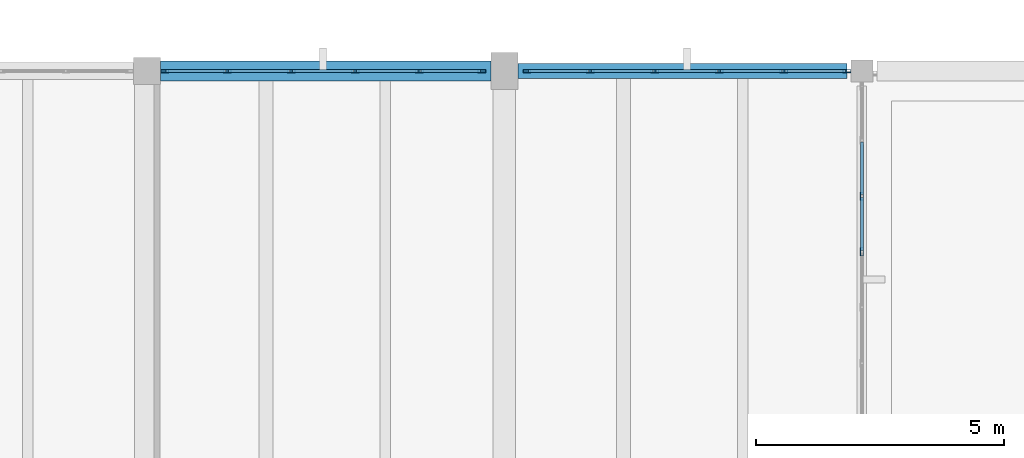
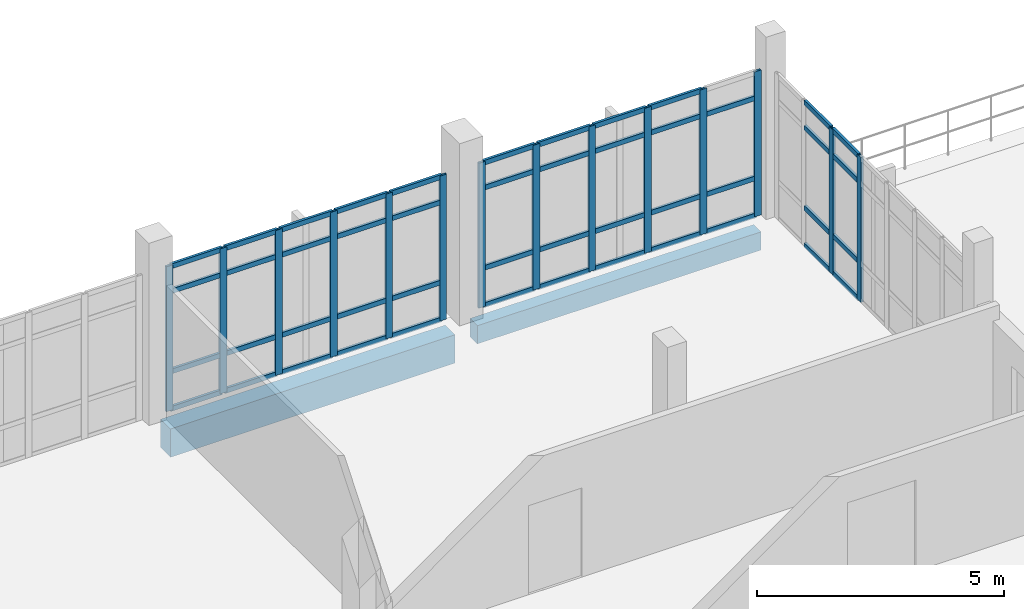
# One storey, part 43 of 62: 61 members, 2 beams, 3 elements without a shape of their own.
"""IFC4 building model written with IfcOpenShell, lengths in metres."""

from ifc_helpers import new_model, si_unit, direction, frame, origin, origin_2d, place, context, subcontext, project, spatial, rectangle, hollow_rectangle, extrude, material, material_profile, profile_set, type_object, element, aggregate, save


model = new_model("IFC4")

# Units and contexts
model_context = context("Model", 3, precision=1e-05, world=origin(), true_north=direction((0.0, 1.0)))
body_context = subcontext(model_context, "Body", "Model", "MODEL_VIEW")
ifc_project = project(units=[si_unit("LENGTHUNIT", "METRE"), si_unit("AREAUNIT", "SQUARE_METRE"), si_unit("VOLUMEUNIT", "CUBIC_METRE"), si_unit("PLANEANGLEUNIT", "RADIAN"), si_unit("MASSUNIT", "GRAM", prefix="KILO")], contexts=[model_context])

# Site, building, storey
site_placement = place(None, origin())
site = spatial("IfcSite", under=ifc_project, at=site_placement, CompositionType="ELEMENT")
building_placement = place(site_placement, origin())
building = spatial("IfcBuilding", under=site, at=building_placement, Name="Kalluvel Institute of Natural Sciences", CompositionType="ELEMENT")
storey_placement = place(building_placement, frame((0.0, 0.0, 27.89990234375)))
storey = spatial("IfcBuildingStorey", under=building, at=storey_placement, Name="L06", CompositionType="ELEMENT", Elevation=27.89990234375)

# Curtain wall, members
ifc_material_1 = material(Name="Aluminium AW-6063 T6", Category="aluminium")
curtain_wall_type = type_object("IfcCurtainWallType", Name="CW-WET-45", PredefinedType="USERDEFINED", material=ifc_material_1)
curtain_wall_1_placement = place(storey_placement, origin())
curtain_wall_1 = element("IfcCurtainWall", 1, at=curtain_wall_1_placement, inside=storey, type_object=curtain_wall_type, Name="L06 Gothic lancet curtain wall CWA-L06-X935-Y1280", ObjectType="UNITISED LANCET FACADE", PredefinedType="USERDEFINED")
ifc_material_profile_1 = material_profile(ifc_material_1, hollow_rectangle(XDim=0.06005859375, YDim=0.159912109375, WallThickness=0.00390625, at=origin_2d()), Name="CWM 60x160")
ifc_profile_set_1 = profile_set([ifc_material_profile_1], Name="Aluminium AW-6063 T6")
member_type_1 = type_object("IfcMemberType", Name="CWM-60x160", PredefinedType="MULLION", material=ifc_profile_set_1)
member_1_placement = place(storey_placement, frame((93.554931640625, 128.0, 0.0), z_axis=(0.0, 0.0, 1.0), x_axis=(0.0, 1.0, 0.0)))
member_1 = element("IfcMember", 2, at=member_1_placement, type_object=member_type_1, Name="CW-01 mullion 1", PredefinedType="MULLION", context=body_context, shape_type="SweptSolid", body=[
    extrude(hollow_rectangle(XDim=0.06005859375, YDim=0.159912109375, WallThickness=0.00390625, at=origin_2d()), origin(), (0.0, 0.0, 1.0), 3.580078125),
])
member_2_placement = place(storey_placement, frame((94.81494140625, 128.0, 0.0), z_axis=(0.0, 0.0, 1.0), x_axis=(0.0, 1.0, 0.0)))
member_2 = element("IfcMember", 3, at=member_2_placement, type_object=member_type_1, Name="CW-01 mullion 2", PredefinedType="MULLION", context=body_context, shape_type="SweptSolid", body=[
    extrude(hollow_rectangle(XDim=0.06005859375, YDim=0.159912109375, WallThickness=0.00390625, at=origin_2d()), origin(), (0.0, 0.0, 1.0), 3.580078125),
])
member_3_placement = place(storey_placement, frame((96.10498046875, 128.0, 0.0), z_axis=(0.0, 0.0, 1.0), x_axis=(0.0, 1.0, 0.0)))
member_3 = element("IfcMember", 4, at=member_3_placement, type_object=member_type_1, Name="CW-01 mullion 3", PredefinedType="MULLION", context=body_context, shape_type="SweptSolid", body=[
    extrude(hollow_rectangle(XDim=0.06005859375, YDim=0.159912109375, WallThickness=0.00390625, at=origin_2d()), origin(), (0.0, 0.0, 1.0), 3.580078125),
])
member_4_placement = place(storey_placement, frame((97.39501953125, 128.0, 0.0), z_axis=(0.0, 0.0, 1.0), x_axis=(0.0, 1.0, 0.0)))
member_4 = element("IfcMember", 5, at=member_4_placement, type_object=member_type_1, Name="CW-01 mullion 4", PredefinedType="MULLION", context=body_context, shape_type="SweptSolid", body=[
    extrude(hollow_rectangle(XDim=0.06005859375, YDim=0.159912109375, WallThickness=0.00390625, at=origin_2d()), origin(), (0.0, 0.0, 1.0), 3.580078125),
])
member_5_placement = place(storey_placement, frame((98.68505859375, 128.0, 0.0), z_axis=(0.0, 0.0, 1.0), x_axis=(0.0, 1.0, 0.0)))
member_5 = element("IfcMember", 6, at=member_5_placement, type_object=member_type_1, Name="CW-01 mullion 5", PredefinedType="MULLION", context=body_context, shape_type="SweptSolid", body=[
    extrude(hollow_rectangle(XDim=0.06005859375, YDim=0.159912109375, WallThickness=0.00390625, at=origin_2d()), origin(), (0.0, 0.0, 1.0), 3.580078125),
])
member_6_placement = place(storey_placement, frame((99.945068359375, 128.0, 0.0), z_axis=(0.0, 0.0, 1.0), x_axis=(0.0, 1.0, 0.0)))
member_6 = element("IfcMember", 7, at=member_6_placement, type_object=member_type_1, Name="CW-01 mullion 6", PredefinedType="MULLION", context=body_context, shape_type="SweptSolid", body=[
    extrude(hollow_rectangle(XDim=0.06005859375, YDim=0.159912109375, WallThickness=0.00390625, at=origin_2d()), origin(), (0.0, 0.0, 1.0), 3.580078125),
])

curtain_wall_2_placement = place(storey_placement, origin())
curtain_wall_2 = element("IfcCurtainWall", 8, at=curtain_wall_2_placement, inside=storey, type_object=curtain_wall_type, Name="L06 Gothic lancet curtain wall CWA-L06-X1008-Y1280", ObjectType="UNITISED LANCET FACADE", PredefinedType="USERDEFINED")
member_7_placement = place(storey_placement, frame((100.85498046875, 128.0, 0.0), z_axis=(0.0, 0.0, 1.0), x_axis=(0.0, 1.0, 0.0)))
member_7 = element("IfcMember", 9, at=member_7_placement, type_object=member_type_1, Name="CW-01 mullion 1", PredefinedType="MULLION", context=body_context, shape_type="SweptSolid", body=[
    extrude(hollow_rectangle(XDim=0.06005859375, YDim=0.159912109375, WallThickness=0.00390625, at=origin_2d()), origin(), (0.0, 0.0, 1.0), 3.580078125),
])
member_8_placement = place(storey_placement, frame((102.125, 128.0, 0.0), z_axis=(0.0, 0.0, 1.0), x_axis=(0.0, 1.0, 0.0)))
member_8 = element("IfcMember", 10, at=member_8_placement, type_object=member_type_1, Name="CW-01 mullion 2", PredefinedType="MULLION", context=body_context, shape_type="SweptSolid", body=[
    extrude(hollow_rectangle(XDim=0.06005859375, YDim=0.159912109375, WallThickness=0.00390625, at=origin_2d()), origin(), (0.0, 0.0, 1.0), 3.580078125),
])
member_9_placement = place(storey_placement, frame((103.425048828125, 128.0, 0.0), z_axis=(0.0, 0.0, 1.0), x_axis=(0.0, 1.0, 0.0)))
member_9 = element("IfcMember", 11, at=member_9_placement, type_object=member_type_1, Name="CW-01 mullion 3", PredefinedType="MULLION", context=body_context, shape_type="SweptSolid", body=[
    extrude(hollow_rectangle(XDim=0.06005859375, YDim=0.159912109375, WallThickness=0.00390625, at=origin_2d()), origin(), (0.0, 0.0, 1.0), 3.580078125),
])
member_10_placement = place(storey_placement, frame((104.72509765625, 128.0, 0.0), z_axis=(0.0, 0.0, 1.0), x_axis=(0.0, 1.0, 0.0)))
member_10 = element("IfcMember", 12, at=member_10_placement, type_object=member_type_1, Name="CW-01 mullion 4", PredefinedType="MULLION", context=body_context, shape_type="SweptSolid", body=[
    extrude(hollow_rectangle(XDim=0.06005859375, YDim=0.159912109375, WallThickness=0.00390625, at=origin_2d()), origin(), (0.0, 0.0, 1.0), 3.580078125),
])
member_11_placement = place(storey_placement, frame((106.02490234375, 128.0, 0.0), z_axis=(0.0, 0.0, 1.0), x_axis=(0.0, 1.0, 0.0)))
member_11 = element("IfcMember", 13, at=member_11_placement, type_object=member_type_1, Name="CW-01 mullion 5", PredefinedType="MULLION", context=body_context, shape_type="SweptSolid", body=[
    extrude(hollow_rectangle(XDim=0.06005859375, YDim=0.159912109375, WallThickness=0.00390625, at=origin_2d()), origin(), (0.0, 0.0, 1.0), 3.580078125),
])
member_12_placement = place(storey_placement, frame((107.294921875, 128.0, 0.0), z_axis=(0.0, 0.0, 1.0), x_axis=(0.0, 1.0, 0.0)))
member_12 = element("IfcMember", 14, at=member_12_placement, type_object=member_type_1, Name="CW-01 mullion 6", PredefinedType="MULLION", context=body_context, shape_type="SweptSolid", body=[
    extrude(hollow_rectangle(XDim=0.06005859375, YDim=0.159912109375, WallThickness=0.00390625, at=origin_2d()), origin(), (0.0, 0.0, 1.0), 3.580078125),
])

curtain_wall_3_placement = place(storey_placement, origin())
curtain_wall_3 = element("IfcCurtainWall", 15, at=curtain_wall_3_placement, inside=storey, type_object=curtain_wall_type, Name="L06 Gothic lancet curtain wall CWA-L06-X1076-Y1199", ObjectType="UNITISED LANCET FACADE", PredefinedType="USERDEFINED")
member_13_placement = place(storey_placement, frame((107.60009765625, 124.360595703125, 0.0), z_axis=(0.0, 0.0, 1.0), x_axis=(-1.0, 0.0, 0.0)))
member_13 = element("IfcMember", 16, at=member_13_placement, type_object=member_type_1, Name="CW-01 mullion 5", PredefinedType="MULLION", context=body_context, shape_type="SweptSolid", body=[
    extrude(hollow_rectangle(XDim=0.06005859375, YDim=0.159912109375, WallThickness=0.00390625, at=origin_2d()), origin(), (0.0, 0.0, 1.0), 3.580078125),
])
member_14_placement = place(storey_placement, frame((107.60009765625, 125.482177734375, 0.0), z_axis=(0.0, 0.0, 1.0), x_axis=(-1.0, 0.0, 0.0)))
member_14 = element("IfcMember", 17, at=member_14_placement, type_object=member_type_1, Name="CW-01 mullion 6", PredefinedType="MULLION", context=body_context, shape_type="SweptSolid", body=[
    extrude(hollow_rectangle(XDim=0.06005859375, YDim=0.159912109375, WallThickness=0.00390625, at=origin_2d()), origin(), (0.0, 0.0, 1.0), 3.580078125),
])

# Member
ifc_material_profile_2 = material_profile(ifc_material_1, hollow_rectangle(XDim=0.06005859375, YDim=0.1201171875, WallThickness=0.00390625, at=origin_2d()), Name="CWT 60x120")
ifc_profile_set_2 = profile_set([ifc_material_profile_2], Name="Aluminium AW-6063 T6")
member_type_2 = type_object("IfcMemberType", Name="CWT-60x120", PredefinedType="USERDEFINED", material=ifc_profile_set_2)
member_15_placement = place(storey_placement, frame((93.5849609375, 128.0, 0.030029296875), z_axis=(1.0, 0.0, 0.0), x_axis=(0.0, 1.0, 0.0)))
member_15 = element("IfcMember", 18, at=member_15_placement, type_object=member_type_2, Name="CW-01 transom 1.1", ObjectType="TRANSOM", PredefinedType="USERDEFINED", context=body_context, shape_type="SweptSolid", body=[
    extrude(hollow_rectangle(XDim=0.06005859375, YDim=0.1201171875, WallThickness=0.00390625, at=origin_2d()), origin(), (0.0, 0.0, 1.0), 1.199951171875),
])

member_16_placement = place(storey_placement, frame((93.5849609375, 128.0, 0.9501953125), z_axis=(1.0, 0.0, 0.0), x_axis=(0.0, 1.0, 0.0)))
member_16 = element("IfcMember", 19, at=member_16_placement, type_object=member_type_2, Name="CW-01 transom 1.2", ObjectType="TRANSOM", PredefinedType="USERDEFINED", context=body_context, shape_type="SweptSolid", body=[
    extrude(hollow_rectangle(XDim=0.06005859375, YDim=0.1201171875, WallThickness=0.00390625, at=origin_2d()), origin(), (0.0, 0.0, 1.0), 1.199951171875),
])

member_17_placement = place(storey_placement, frame((93.5849609375, 128.0, 2.93017578125), z_axis=(1.0, 0.0, 0.0), x_axis=(0.0, 1.0, 0.0)))
member_17 = element("IfcMember", 20, at=member_17_placement, type_object=member_type_2, Name="CW-01 transom 1.3", ObjectType="TRANSOM", PredefinedType="USERDEFINED", context=body_context, shape_type="SweptSolid", body=[
    extrude(hollow_rectangle(XDim=0.06005859375, YDim=0.1201171875, WallThickness=0.00390625, at=origin_2d()), origin(), (0.0, 0.0, 1.0), 1.199951171875),
])

member_18_placement = place(storey_placement, frame((93.5849609375, 128.0, 3.550048828125), z_axis=(1.0, 0.0, 0.0), x_axis=(0.0, 1.0, 0.0)))
member_18 = element("IfcMember", 21, at=member_18_placement, type_object=member_type_2, Name="CW-01 transom 1.4", ObjectType="TRANSOM", PredefinedType="USERDEFINED", context=body_context, shape_type="SweptSolid", body=[
    extrude(hollow_rectangle(XDim=0.06005859375, YDim=0.1201171875, WallThickness=0.00390625, at=origin_2d()), origin(), (0.0, 0.0, 1.0), 1.199951171875),
])

member_19_placement = place(storey_placement, frame((94.844970703125, 128.0, 0.030029296875), z_axis=(1.0, 0.0, 0.0), x_axis=(0.0, 1.0, 0.0)))
member_19 = element("IfcMember", 22, at=member_19_placement, type_object=member_type_2, Name="CW-01 transom 2.1", ObjectType="TRANSOM", PredefinedType="USERDEFINED", context=body_context, shape_type="SweptSolid", body=[
    extrude(hollow_rectangle(XDim=0.06005859375, YDim=0.1201171875, WallThickness=0.00390625, at=origin_2d()), origin(), (0.0, 0.0, 1.0), 1.22998046875),
])

member_20_placement = place(storey_placement, frame((94.844970703125, 128.0, 0.9501953125), z_axis=(1.0, 0.0, 0.0), x_axis=(0.0, 1.0, 0.0)))
member_20 = element("IfcMember", 23, at=member_20_placement, type_object=member_type_2, Name="CW-01 transom 2.2", ObjectType="TRANSOM", PredefinedType="USERDEFINED", context=body_context, shape_type="SweptSolid", body=[
    extrude(hollow_rectangle(XDim=0.06005859375, YDim=0.1201171875, WallThickness=0.00390625, at=origin_2d()), origin(), (0.0, 0.0, 1.0), 1.22998046875),
])

member_21_placement = place(storey_placement, frame((94.844970703125, 128.0, 2.93017578125), z_axis=(1.0, 0.0, 0.0), x_axis=(0.0, 1.0, 0.0)))
member_21 = element("IfcMember", 24, at=member_21_placement, type_object=member_type_2, Name="CW-01 transom 2.3", ObjectType="TRANSOM", PredefinedType="USERDEFINED", context=body_context, shape_type="SweptSolid", body=[
    extrude(hollow_rectangle(XDim=0.06005859375, YDim=0.1201171875, WallThickness=0.00390625, at=origin_2d()), origin(), (0.0, 0.0, 1.0), 1.22998046875),
])

member_22_placement = place(storey_placement, frame((94.844970703125, 128.0, 3.550048828125), z_axis=(1.0, 0.0, 0.0), x_axis=(0.0, 1.0, 0.0)))
member_22 = element("IfcMember", 25, at=member_22_placement, type_object=member_type_2, Name="CW-01 transom 2.4", ObjectType="TRANSOM", PredefinedType="USERDEFINED", context=body_context, shape_type="SweptSolid", body=[
    extrude(hollow_rectangle(XDim=0.06005859375, YDim=0.1201171875, WallThickness=0.00390625, at=origin_2d()), origin(), (0.0, 0.0, 1.0), 1.22998046875),
])

member_23_placement = place(storey_placement, frame((96.135009765625, 128.0, 0.030029296875), z_axis=(1.0, 0.0, 0.0), x_axis=(0.0, 1.0, 0.0)))
member_23 = element("IfcMember", 26, at=member_23_placement, type_object=member_type_2, Name="CW-01 transom 3.1", ObjectType="TRANSOM", PredefinedType="USERDEFINED", context=body_context, shape_type="SweptSolid", body=[
    extrude(hollow_rectangle(XDim=0.06005859375, YDim=0.1201171875, WallThickness=0.00390625, at=origin_2d()), origin(), (0.0, 0.0, 1.0), 1.22998046875),
])

member_24_placement = place(storey_placement, frame((96.135009765625, 128.0, 0.9501953125), z_axis=(1.0, 0.0, 0.0), x_axis=(0.0, 1.0, 0.0)))
member_24 = element("IfcMember", 27, at=member_24_placement, type_object=member_type_2, Name="CW-01 transom 3.2", ObjectType="TRANSOM", PredefinedType="USERDEFINED", context=body_context, shape_type="SweptSolid", body=[
    extrude(hollow_rectangle(XDim=0.06005859375, YDim=0.1201171875, WallThickness=0.00390625, at=origin_2d()), origin(), (0.0, 0.0, 1.0), 1.22998046875),
])

member_25_placement = place(storey_placement, frame((96.135009765625, 128.0, 2.93017578125), z_axis=(1.0, 0.0, 0.0), x_axis=(0.0, 1.0, 0.0)))
member_25 = element("IfcMember", 28, at=member_25_placement, type_object=member_type_2, Name="CW-01 transom 3.3", ObjectType="TRANSOM", PredefinedType="USERDEFINED", context=body_context, shape_type="SweptSolid", body=[
    extrude(hollow_rectangle(XDim=0.06005859375, YDim=0.1201171875, WallThickness=0.00390625, at=origin_2d()), origin(), (0.0, 0.0, 1.0), 1.22998046875),
])

member_26_placement = place(storey_placement, frame((96.135009765625, 128.0, 3.550048828125), z_axis=(1.0, 0.0, 0.0), x_axis=(0.0, 1.0, 0.0)))
member_26 = element("IfcMember", 29, at=member_26_placement, type_object=member_type_2, Name="CW-01 transom 3.4", ObjectType="TRANSOM", PredefinedType="USERDEFINED", context=body_context, shape_type="SweptSolid", body=[
    extrude(hollow_rectangle(XDim=0.06005859375, YDim=0.1201171875, WallThickness=0.00390625, at=origin_2d()), origin(), (0.0, 0.0, 1.0), 1.22998046875),
])

member_27_placement = place(storey_placement, frame((97.425048828125, 128.0, 0.030029296875), z_axis=(1.0, 0.0, 0.0), x_axis=(0.0, 1.0, 0.0)))
member_27 = element("IfcMember", 30, at=member_27_placement, type_object=member_type_2, Name="CW-01 transom 4.1", ObjectType="TRANSOM", PredefinedType="USERDEFINED", context=body_context, shape_type="SweptSolid", body=[
    extrude(hollow_rectangle(XDim=0.06005859375, YDim=0.1201171875, WallThickness=0.00390625, at=origin_2d()), origin(), (0.0, 0.0, 1.0), 1.22998046875),
])

member_28_placement = place(storey_placement, frame((97.425048828125, 128.0, 0.9501953125), z_axis=(1.0, 0.0, 0.0), x_axis=(0.0, 1.0, 0.0)))
member_28 = element("IfcMember", 31, at=member_28_placement, type_object=member_type_2, Name="CW-01 transom 4.2", ObjectType="TRANSOM", PredefinedType="USERDEFINED", context=body_context, shape_type="SweptSolid", body=[
    extrude(hollow_rectangle(XDim=0.06005859375, YDim=0.1201171875, WallThickness=0.00390625, at=origin_2d()), origin(), (0.0, 0.0, 1.0), 1.22998046875),
])

member_29_placement = place(storey_placement, frame((97.425048828125, 128.0, 2.93017578125), z_axis=(1.0, 0.0, 0.0), x_axis=(0.0, 1.0, 0.0)))
member_29 = element("IfcMember", 32, at=member_29_placement, type_object=member_type_2, Name="CW-01 transom 4.3", ObjectType="TRANSOM", PredefinedType="USERDEFINED", context=body_context, shape_type="SweptSolid", body=[
    extrude(hollow_rectangle(XDim=0.06005859375, YDim=0.1201171875, WallThickness=0.00390625, at=origin_2d()), origin(), (0.0, 0.0, 1.0), 1.22998046875),
])

member_30_placement = place(storey_placement, frame((97.425048828125, 128.0, 3.550048828125), z_axis=(1.0, 0.0, 0.0), x_axis=(0.0, 1.0, 0.0)))
member_30 = element("IfcMember", 33, at=member_30_placement, type_object=member_type_2, Name="CW-01 transom 4.4", ObjectType="TRANSOM", PredefinedType="USERDEFINED", context=body_context, shape_type="SweptSolid", body=[
    extrude(hollow_rectangle(XDim=0.06005859375, YDim=0.1201171875, WallThickness=0.00390625, at=origin_2d()), origin(), (0.0, 0.0, 1.0), 1.22998046875),
])

member_31_placement = place(storey_placement, frame((98.715087890625, 128.0, 0.030029296875), z_axis=(1.0, 0.0, 0.0), x_axis=(0.0, 1.0, 0.0)))
member_31 = element("IfcMember", 34, at=member_31_placement, type_object=member_type_2, Name="CW-01 transom 5.1", ObjectType="TRANSOM", PredefinedType="USERDEFINED", context=body_context, shape_type="SweptSolid", body=[
    extrude(hollow_rectangle(XDim=0.06005859375, YDim=0.1201171875, WallThickness=0.00390625, at=origin_2d()), origin(), (0.0, 0.0, 1.0), 1.199951171875),
])

member_32_placement = place(storey_placement, frame((98.715087890625, 128.0, 0.9501953125), z_axis=(1.0, 0.0, 0.0), x_axis=(0.0, 1.0, 0.0)))
member_32 = element("IfcMember", 35, at=member_32_placement, type_object=member_type_2, Name="CW-01 transom 5.2", ObjectType="TRANSOM", PredefinedType="USERDEFINED", context=body_context, shape_type="SweptSolid", body=[
    extrude(hollow_rectangle(XDim=0.06005859375, YDim=0.1201171875, WallThickness=0.00390625, at=origin_2d()), origin(), (0.0, 0.0, 1.0), 1.199951171875),
])

member_33_placement = place(storey_placement, frame((98.715087890625, 128.0, 2.93017578125), z_axis=(1.0, 0.0, 0.0), x_axis=(0.0, 1.0, 0.0)))
member_33 = element("IfcMember", 36, at=member_33_placement, type_object=member_type_2, Name="CW-01 transom 5.3", ObjectType="TRANSOM", PredefinedType="USERDEFINED", context=body_context, shape_type="SweptSolid", body=[
    extrude(hollow_rectangle(XDim=0.06005859375, YDim=0.1201171875, WallThickness=0.00390625, at=origin_2d()), origin(), (0.0, 0.0, 1.0), 1.199951171875),
])

member_34_placement = place(storey_placement, frame((98.715087890625, 128.0, 3.550048828125), z_axis=(1.0, 0.0, 0.0), x_axis=(0.0, 1.0, 0.0)))
member_34 = element("IfcMember", 37, at=member_34_placement, type_object=member_type_2, Name="CW-01 transom 5.4", ObjectType="TRANSOM", PredefinedType="USERDEFINED", context=body_context, shape_type="SweptSolid", body=[
    extrude(hollow_rectangle(XDim=0.06005859375, YDim=0.1201171875, WallThickness=0.00390625, at=origin_2d()), origin(), (0.0, 0.0, 1.0), 1.199951171875),
])

aggregate(curtain_wall_1, [member_1, member_2, member_3, member_4, member_5, member_6, member_15, member_16, member_17, member_18, member_19, member_20, member_21, member_22, member_23, member_24, member_25, member_26, member_27, member_28, member_29, member_30, member_31, member_32, member_33, member_34])

member_35_placement = place(storey_placement, frame((100.885009765625, 128.0, 0.030029296875), z_axis=(1.0, 0.0, 0.0), x_axis=(0.0, 1.0, 0.0)))
member_35 = element("IfcMember", 38, at=member_35_placement, type_object=member_type_2, Name="CW-01 transom 1.1", ObjectType="TRANSOM", PredefinedType="USERDEFINED", context=body_context, shape_type="SweptSolid", body=[
    extrude(hollow_rectangle(XDim=0.06005859375, YDim=0.1201171875, WallThickness=0.00390625, at=origin_2d()), origin(), (0.0, 0.0, 1.0), 1.2099609375),
])

member_36_placement = place(storey_placement, frame((100.885009765625, 128.0, 0.9501953125), z_axis=(1.0, 0.0, 0.0), x_axis=(0.0, 1.0, 0.0)))
member_36 = element("IfcMember", 39, at=member_36_placement, type_object=member_type_2, Name="CW-01 transom 1.2", ObjectType="TRANSOM", PredefinedType="USERDEFINED", context=body_context, shape_type="SweptSolid", body=[
    extrude(hollow_rectangle(XDim=0.06005859375, YDim=0.1201171875, WallThickness=0.00390625, at=origin_2d()), origin(), (0.0, 0.0, 1.0), 1.2099609375),
])

member_37_placement = place(storey_placement, frame((100.885009765625, 128.0, 2.93017578125), z_axis=(1.0, 0.0, 0.0), x_axis=(0.0, 1.0, 0.0)))
member_37 = element("IfcMember", 40, at=member_37_placement, type_object=member_type_2, Name="CW-01 transom 1.3", ObjectType="TRANSOM", PredefinedType="USERDEFINED", context=body_context, shape_type="SweptSolid", body=[
    extrude(hollow_rectangle(XDim=0.06005859375, YDim=0.1201171875, WallThickness=0.00390625, at=origin_2d()), origin(), (0.0, 0.0, 1.0), 1.2099609375),
])

member_38_placement = place(storey_placement, frame((100.885009765625, 128.0, 3.550048828125), z_axis=(1.0, 0.0, 0.0), x_axis=(0.0, 1.0, 0.0)))
member_38 = element("IfcMember", 41, at=member_38_placement, type_object=member_type_2, Name="CW-01 transom 1.4", ObjectType="TRANSOM", PredefinedType="USERDEFINED", context=body_context, shape_type="SweptSolid", body=[
    extrude(hollow_rectangle(XDim=0.06005859375, YDim=0.1201171875, WallThickness=0.00390625, at=origin_2d()), origin(), (0.0, 0.0, 1.0), 1.2099609375),
])

member_39_placement = place(storey_placement, frame((102.155029296875, 128.0, 0.030029296875), z_axis=(1.0, 0.0, 0.0), x_axis=(0.0, 1.0, 0.0)))
member_39 = element("IfcMember", 42, at=member_39_placement, type_object=member_type_2, Name="CW-01 transom 2.1", ObjectType="TRANSOM", PredefinedType="USERDEFINED", context=body_context, shape_type="SweptSolid", body=[
    extrude(hollow_rectangle(XDim=0.06005859375, YDim=0.1201171875, WallThickness=0.00390625, at=origin_2d()), origin(), (0.0, 0.0, 1.0), 1.239990234375),
])

member_40_placement = place(storey_placement, frame((102.155029296875, 128.0, 0.9501953125), z_axis=(1.0, 0.0, 0.0), x_axis=(0.0, 1.0, 0.0)))
member_40 = element("IfcMember", 43, at=member_40_placement, type_object=member_type_2, Name="CW-01 transom 2.2", ObjectType="TRANSOM", PredefinedType="USERDEFINED", context=body_context, shape_type="SweptSolid", body=[
    extrude(hollow_rectangle(XDim=0.06005859375, YDim=0.1201171875, WallThickness=0.00390625, at=origin_2d()), origin(), (0.0, 0.0, 1.0), 1.239990234375),
])

member_41_placement = place(storey_placement, frame((102.155029296875, 128.0, 2.93017578125), z_axis=(1.0, 0.0, 0.0), x_axis=(0.0, 1.0, 0.0)))
member_41 = element("IfcMember", 44, at=member_41_placement, type_object=member_type_2, Name="CW-01 transom 2.3", ObjectType="TRANSOM", PredefinedType="USERDEFINED", context=body_context, shape_type="SweptSolid", body=[
    extrude(hollow_rectangle(XDim=0.06005859375, YDim=0.1201171875, WallThickness=0.00390625, at=origin_2d()), origin(), (0.0, 0.0, 1.0), 1.239990234375),
])

member_42_placement = place(storey_placement, frame((102.155029296875, 128.0, 3.550048828125), z_axis=(1.0, 0.0, 0.0), x_axis=(0.0, 1.0, 0.0)))
member_42 = element("IfcMember", 45, at=member_42_placement, type_object=member_type_2, Name="CW-01 transom 2.4", ObjectType="TRANSOM", PredefinedType="USERDEFINED", context=body_context, shape_type="SweptSolid", body=[
    extrude(hollow_rectangle(XDim=0.06005859375, YDim=0.1201171875, WallThickness=0.00390625, at=origin_2d()), origin(), (0.0, 0.0, 1.0), 1.239990234375),
])

member_43_placement = place(storey_placement, frame((103.455078125, 128.0, 0.030029296875), z_axis=(1.0, 0.0, 0.0), x_axis=(0.0, 1.0, 0.0)))
member_43 = element("IfcMember", 46, at=member_43_placement, type_object=member_type_2, Name="CW-01 transom 3.1", ObjectType="TRANSOM", PredefinedType="USERDEFINED", context=body_context, shape_type="SweptSolid", body=[
    extrude(hollow_rectangle(XDim=0.06005859375, YDim=0.1201171875, WallThickness=0.00390625, at=origin_2d()), origin(), (0.0, 0.0, 1.0), 1.239990234375),
])

member_44_placement = place(storey_placement, frame((103.455078125, 128.0, 0.9501953125), z_axis=(1.0, 0.0, 0.0), x_axis=(0.0, 1.0, 0.0)))
member_44 = element("IfcMember", 47, at=member_44_placement, type_object=member_type_2, Name="CW-01 transom 3.2", ObjectType="TRANSOM", PredefinedType="USERDEFINED", context=body_context, shape_type="SweptSolid", body=[
    extrude(hollow_rectangle(XDim=0.06005859375, YDim=0.1201171875, WallThickness=0.00390625, at=origin_2d()), origin(), (0.0, 0.0, 1.0), 1.239990234375),
])

member_45_placement = place(storey_placement, frame((103.455078125, 128.0, 2.93017578125), z_axis=(1.0, 0.0, 0.0), x_axis=(0.0, 1.0, 0.0)))
member_45 = element("IfcMember", 48, at=member_45_placement, type_object=member_type_2, Name="CW-01 transom 3.3", ObjectType="TRANSOM", PredefinedType="USERDEFINED", context=body_context, shape_type="SweptSolid", body=[
    extrude(hollow_rectangle(XDim=0.06005859375, YDim=0.1201171875, WallThickness=0.00390625, at=origin_2d()), origin(), (0.0, 0.0, 1.0), 1.239990234375),
])

member_46_placement = place(storey_placement, frame((103.455078125, 128.0, 3.550048828125), z_axis=(1.0, 0.0, 0.0), x_axis=(0.0, 1.0, 0.0)))
member_46 = element("IfcMember", 49, at=member_46_placement, type_object=member_type_2, Name="CW-01 transom 3.4", ObjectType="TRANSOM", PredefinedType="USERDEFINED", context=body_context, shape_type="SweptSolid", body=[
    extrude(hollow_rectangle(XDim=0.06005859375, YDim=0.1201171875, WallThickness=0.00390625, at=origin_2d()), origin(), (0.0, 0.0, 1.0), 1.239990234375),
])

member_47_placement = place(storey_placement, frame((104.7548828125, 128.0, 0.030029296875), z_axis=(1.0, 0.0, 0.0), x_axis=(0.0, 1.0, 0.0)))
member_47 = element("IfcMember", 50, at=member_47_placement, type_object=member_type_2, Name="CW-01 transom 4.1", ObjectType="TRANSOM", PredefinedType="USERDEFINED", context=body_context, shape_type="SweptSolid", body=[
    extrude(hollow_rectangle(XDim=0.06005859375, YDim=0.1201171875, WallThickness=0.00390625, at=origin_2d()), origin(), (0.0, 0.0, 1.0), 1.240234375),
])

member_48_placement = place(storey_placement, frame((104.7548828125, 128.0, 0.9501953125), z_axis=(1.0, 0.0, 0.0), x_axis=(0.0, 1.0, 0.0)))
member_48 = element("IfcMember", 51, at=member_48_placement, type_object=member_type_2, Name="CW-01 transom 4.2", ObjectType="TRANSOM", PredefinedType="USERDEFINED", context=body_context, shape_type="SweptSolid", body=[
    extrude(hollow_rectangle(XDim=0.06005859375, YDim=0.1201171875, WallThickness=0.00390625, at=origin_2d()), origin(), (0.0, 0.0, 1.0), 1.240234375),
])

member_49_placement = place(storey_placement, frame((104.7548828125, 128.0, 2.93017578125), z_axis=(1.0, 0.0, 0.0), x_axis=(0.0, 1.0, 0.0)))
member_49 = element("IfcMember", 52, at=member_49_placement, type_object=member_type_2, Name="CW-01 transom 4.3", ObjectType="TRANSOM", PredefinedType="USERDEFINED", context=body_context, shape_type="SweptSolid", body=[
    extrude(hollow_rectangle(XDim=0.06005859375, YDim=0.1201171875, WallThickness=0.00390625, at=origin_2d()), origin(), (0.0, 0.0, 1.0), 1.240234375),
])

member_50_placement = place(storey_placement, frame((104.7548828125, 128.0, 3.550048828125), z_axis=(1.0, 0.0, 0.0), x_axis=(0.0, 1.0, 0.0)))
member_50 = element("IfcMember", 53, at=member_50_placement, type_object=member_type_2, Name="CW-01 transom 4.4", ObjectType="TRANSOM", PredefinedType="USERDEFINED", context=body_context, shape_type="SweptSolid", body=[
    extrude(hollow_rectangle(XDim=0.06005859375, YDim=0.1201171875, WallThickness=0.00390625, at=origin_2d()), origin(), (0.0, 0.0, 1.0), 1.240234375),
])

member_51_placement = place(storey_placement, frame((106.054931640625, 128.0, 0.030029296875), z_axis=(1.0, 0.0, 0.0), x_axis=(0.0, 1.0, 0.0)))
member_51 = element("IfcMember", 54, at=member_51_placement, type_object=member_type_2, Name="CW-01 transom 5.1", ObjectType="TRANSOM", PredefinedType="USERDEFINED", context=body_context, shape_type="SweptSolid", body=[
    extrude(hollow_rectangle(XDim=0.06005859375, YDim=0.1201171875, WallThickness=0.00390625, at=origin_2d()), origin(), (0.0, 0.0, 1.0), 1.2099609375),
])

member_52_placement = place(storey_placement, frame((106.054931640625, 128.0, 0.9501953125), z_axis=(1.0, 0.0, 0.0), x_axis=(0.0, 1.0, 0.0)))
member_52 = element("IfcMember", 55, at=member_52_placement, type_object=member_type_2, Name="CW-01 transom 5.2", ObjectType="TRANSOM", PredefinedType="USERDEFINED", context=body_context, shape_type="SweptSolid", body=[
    extrude(hollow_rectangle(XDim=0.06005859375, YDim=0.1201171875, WallThickness=0.00390625, at=origin_2d()), origin(), (0.0, 0.0, 1.0), 1.2099609375),
])

member_53_placement = place(storey_placement, frame((106.054931640625, 128.0, 2.93017578125), z_axis=(1.0, 0.0, 0.0), x_axis=(0.0, 1.0, 0.0)))
member_53 = element("IfcMember", 56, at=member_53_placement, type_object=member_type_2, Name="CW-01 transom 5.3", ObjectType="TRANSOM", PredefinedType="USERDEFINED", context=body_context, shape_type="SweptSolid", body=[
    extrude(hollow_rectangle(XDim=0.06005859375, YDim=0.1201171875, WallThickness=0.00390625, at=origin_2d()), origin(), (0.0, 0.0, 1.0), 1.2099609375),
])

aggregate(curtain_wall_2, [member_7, member_8, member_9, member_10, member_11, member_12, member_35, member_36, member_37, member_38, member_39, member_40, member_41, member_42, member_43, member_44, member_45, member_46, member_47, member_48, member_49, member_50, member_51, member_52, member_53])

member_54_placement = place(storey_placement, frame((107.60009765625, 124.390625, 0.030029296875), z_axis=(0.0, 1.0, 0.0), x_axis=(-1.0, 0.0, 0.0)))
member_54 = element("IfcMember", 57, at=member_54_placement, type_object=member_type_2, Name="CW-01 transom 5.1", ObjectType="TRANSOM", PredefinedType="USERDEFINED", context=body_context, shape_type="SweptSolid", body=[
    extrude(hollow_rectangle(XDim=0.06005859375, YDim=0.1201171875, WallThickness=0.00390625, at=origin_2d()), origin(), (0.0, 0.0, 1.0), 1.0615234375),
])

member_55_placement = place(storey_placement, frame((107.60009765625, 124.390625, 0.9501953125), z_axis=(0.0, 1.0, 0.0), x_axis=(-1.0, 0.0, 0.0)))
member_55 = element("IfcMember", 58, at=member_55_placement, type_object=member_type_2, Name="CW-01 transom 5.2", ObjectType="TRANSOM", PredefinedType="USERDEFINED", context=body_context, shape_type="SweptSolid", body=[
    extrude(hollow_rectangle(XDim=0.06005859375, YDim=0.1201171875, WallThickness=0.00390625, at=origin_2d()), origin(), (0.0, 0.0, 1.0), 1.0615234375),
])

member_56_placement = place(storey_placement, frame((107.60009765625, 124.390625, 2.93017578125), z_axis=(0.0, 1.0, 0.0), x_axis=(-1.0, 0.0, 0.0)))
member_56 = element("IfcMember", 59, at=member_56_placement, type_object=member_type_2, Name="CW-01 transom 5.3", ObjectType="TRANSOM", PredefinedType="USERDEFINED", context=body_context, shape_type="SweptSolid", body=[
    extrude(hollow_rectangle(XDim=0.06005859375, YDim=0.1201171875, WallThickness=0.00390625, at=origin_2d()), origin(), (0.0, 0.0, 1.0), 1.0615234375),
])

member_57_placement = place(storey_placement, frame((107.60009765625, 124.390625, 3.550048828125), z_axis=(0.0, 1.0, 0.0), x_axis=(-1.0, 0.0, 0.0)))
member_57 = element("IfcMember", 60, at=member_57_placement, type_object=member_type_2, Name="CW-01 transom 5.4", ObjectType="TRANSOM", PredefinedType="USERDEFINED", context=body_context, shape_type="SweptSolid", body=[
    extrude(hollow_rectangle(XDim=0.06005859375, YDim=0.1201171875, WallThickness=0.00390625, at=origin_2d()), origin(), (0.0, 0.0, 1.0), 1.0615234375),
])

member_58_placement = place(storey_placement, frame((107.60009765625, 125.51220703125, 0.030029296875), z_axis=(0.0, 1.0, 0.0), x_axis=(-1.0, 0.0, 0.0)))
member_58 = element("IfcMember", 61, at=member_58_placement, type_object=member_type_2, Name="CW-01 transom 6.1", ObjectType="TRANSOM", PredefinedType="USERDEFINED", context=body_context, shape_type="SweptSolid", body=[
    extrude(hollow_rectangle(XDim=0.06005859375, YDim=0.1201171875, WallThickness=0.00390625, at=origin_2d()), origin(), (0.0, 0.0, 1.0), 1.061279296875),
])

member_59_placement = place(storey_placement, frame((107.60009765625, 125.51220703125, 0.9501953125), z_axis=(0.0, 1.0, 0.0), x_axis=(-1.0, 0.0, 0.0)))
member_59 = element("IfcMember", 62, at=member_59_placement, type_object=member_type_2, Name="CW-01 transom 6.2", ObjectType="TRANSOM", PredefinedType="USERDEFINED", context=body_context, shape_type="SweptSolid", body=[
    extrude(hollow_rectangle(XDim=0.06005859375, YDim=0.1201171875, WallThickness=0.00390625, at=origin_2d()), origin(), (0.0, 0.0, 1.0), 1.061279296875),
])

member_60_placement = place(storey_placement, frame((107.60009765625, 125.51220703125, 2.93017578125), z_axis=(0.0, 1.0, 0.0), x_axis=(-1.0, 0.0, 0.0)))
member_60 = element("IfcMember", 63, at=member_60_placement, type_object=member_type_2, Name="CW-01 transom 6.3", ObjectType="TRANSOM", PredefinedType="USERDEFINED", context=body_context, shape_type="SweptSolid", body=[
    extrude(hollow_rectangle(XDim=0.06005859375, YDim=0.1201171875, WallThickness=0.00390625, at=origin_2d()), origin(), (0.0, 0.0, 1.0), 1.061279296875),
])

member_61_placement = place(storey_placement, frame((107.60009765625, 125.51220703125, 3.550048828125), z_axis=(0.0, 1.0, 0.0), x_axis=(-1.0, 0.0, 0.0)))
member_61 = element("IfcMember", 64, at=member_61_placement, type_object=member_type_2, Name="CW-01 transom 6.4", ObjectType="TRANSOM", PredefinedType="USERDEFINED", context=body_context, shape_type="SweptSolid", body=[
    extrude(hollow_rectangle(XDim=0.06005859375, YDim=0.1201171875, WallThickness=0.00390625, at=origin_2d()), origin(), (0.0, 0.0, 1.0), 1.061279296875),
])

aggregate(curtain_wall_3, [member_13, member_14, member_54, member_55, member_56, member_57, member_58, member_59, member_60, member_61])

# Beams
ifc_material_2 = material(Name="Concrete M40", Category="concrete")
ifc_material_profile_3 = material_profile(ifc_material_2, rectangle(XDim=0.300048828125, YDim=0.449951171875, at=origin_2d()), Name="RCB 300x450")
ifc_profile_set_3 = profile_set([ifc_material_profile_3], Name="Concrete M40")
beam_type_1 = type_object("IfcBeamType", Name="SP-RC300x450", PredefinedType="SPANDREL", material=ifc_profile_set_3)
beam_1_placement = place(storey_placement, frame((100.675048828125, 128.0, -0.544921875), z_axis=(1.0, 0.0, 0.0), x_axis=(0.0, 1.0, 0.0)))
element("IfcBeam", 65, at=beam_1_placement, inside=storey, type_object=beam_type_1, Name="L06 girder GIR-L06-EW-X1004-Y1280", PredefinedType="SPANDREL", context=body_context, shape_type="SweptSolid", body=[
    extrude(rectangle(XDim=0.300048828125, YDim=0.449951171875, at=origin_2d()), origin(), (0.0, 0.0, 1.0), 6.625),
])
ifc_material_profile_4 = material_profile(ifc_material_2, rectangle(XDim=0.39990234375, YDim=0.699951171875, at=origin_2d()), Name="RCB 400x700")
ifc_profile_set_4 = profile_set([ifc_material_profile_4], Name="Concrete M40")
beam_type_2 = type_object("IfcBeamType", Name="SP-RC400x700", PredefinedType="SPANDREL", material=ifc_profile_set_4)
beam_2_placement = place(storey_placement, frame((93.47509765625, 128.0, -0.669921875), z_axis=(1.0, 0.0, 0.0), x_axis=(0.0, 1.0, 0.0)))
element("IfcBeam", 66, at=beam_2_placement, inside=storey, type_object=beam_type_2, Name="L06 girder GIR-L06-EW-X932-Y1280", PredefinedType="SPANDREL", context=body_context, shape_type="SweptSolid", body=[
    extrude(rectangle(XDim=0.39990234375, YDim=0.699951171875, at=origin_2d()), origin(), (0.0, 0.0, 1.0), 6.64990234375),
])

save(model, "model.ifc")
